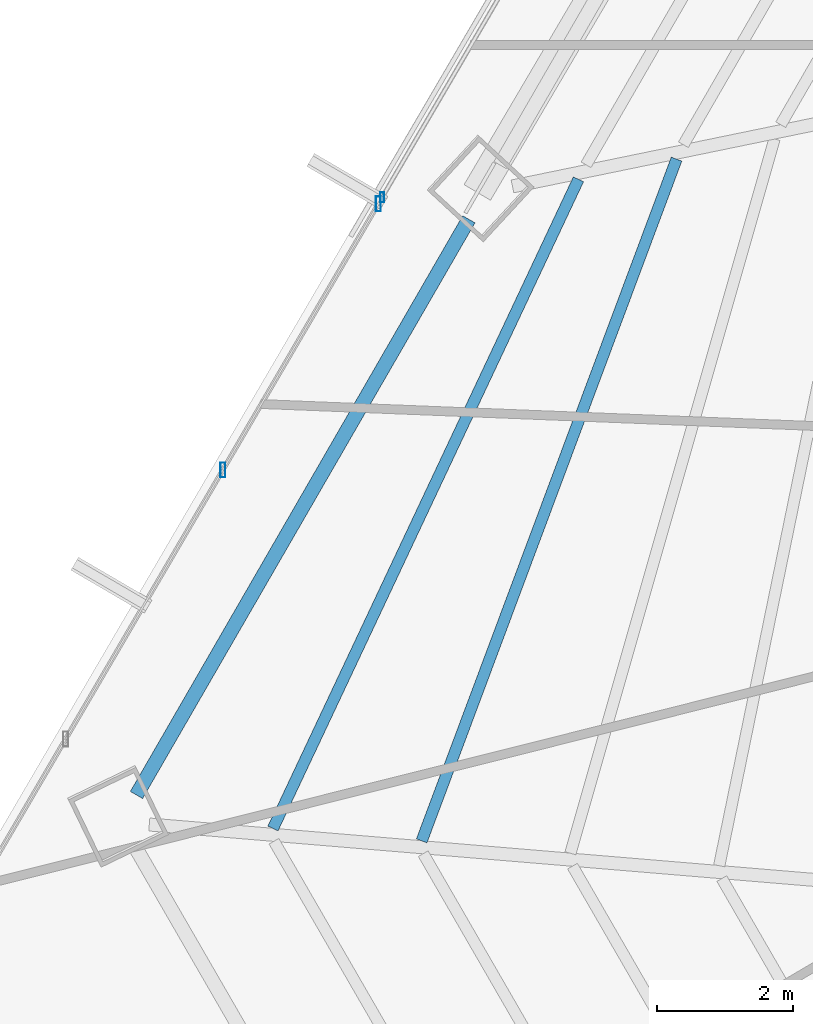
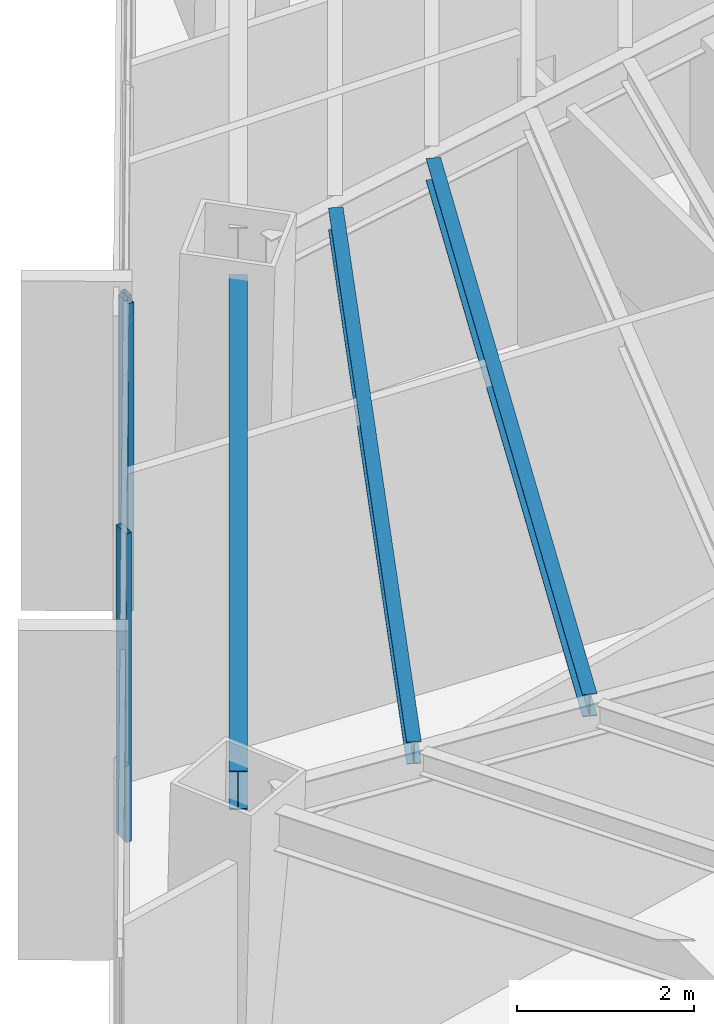
# One storey, part 10 of 37: 3 beams, 3 members, 2 elements without a shape of their own.
"""IFC4 building model written with IfcOpenShell, lengths in metres."""

from ifc_helpers import new_model, si_unit, direction, frame, origin, origin_2d, place, context, subcontext, project, spatial, hollow_rectangle, i_section, extrude, source, transform, mapped, material, material_profile, profile_set, type_object, type_shapes, element, aggregate, save


model = new_model("IFC4")

# Units and contexts
model_context = context("Model", 3, precision=1e-05, world=origin(), true_north=direction((0.0, 1.0)))
body_context = subcontext(model_context, "Body", "Model", "MODEL_VIEW")
ifc_project = project(units=[si_unit("LENGTHUNIT", "METRE"), si_unit("AREAUNIT", "SQUARE_METRE"), si_unit("VOLUMEUNIT", "CUBIC_METRE"), si_unit("PLANEANGLEUNIT", "RADIAN"), si_unit("MASSUNIT", "GRAM", prefix="KILO")], contexts=[model_context])

# Site, building, storey
site_placement = place(None, origin())
site = spatial("IfcSite", under=ifc_project, at=site_placement, CompositionType="ELEMENT")
building_placement = place(site_placement, origin())
building = spatial("IfcBuilding", under=site, at=building_placement, Name="Caelisora Broadcast Tower", CompositionType="ELEMENT")
storey_placement = place(building_placement, frame((0.0, 0.0, 127.300048828125)))
storey = spatial("IfcBuildingStorey", under=building, at=storey_placement, Name="L33", CompositionType="ELEMENT", Elevation=127.300048828125)

# Beams
ifc_material_1 = material(Name="Steel Grade 350 (AS/NZS 3679.1)", Category="steel")
ifc_material_profile_1 = material_profile(ifc_material_1, i_section(OverallWidth=0.208984375, OverallDepth=0.532958984375, WebThickness=0.01025390625, FlangeThickness=0.015625, at=origin_2d()), Name="Steel Grade 350 (AS/NZS 3679.1)")
ifc_profile_set_1 = profile_set([ifc_material_profile_1], Name="Steel Grade 350 (AS/NZS 3679.1)")
beam_type_1 = type_object("IfcBeamType", Name="PG05", PredefinedType="BEAM", material=ifc_profile_set_1)
shared_shape_1 = source(origin(), body_context, "Body", "SweptSolid", [
    extrude(i_section(OverallWidth=0.208984375, OverallDepth=0.532958984375, WebThickness=0.01025390625, FlangeThickness=0.015625, at=origin_2d()), origin(), (0.0, 0.0, 1.0), 9.7705078125),
])
type_shapes(beam_type_1, [shared_shape_1])
beam_1_placement = place(storey_placement, frame((20.257080078125, 27.54052734375, 3.9833984375), z_axis=(-0.500003642646, -0.866023300691, 0.0), x_axis=(0.866023300691, -0.500003642646, 0.0)))
element("IfcBeam", 1, at=beam_1_placement, inside=storey, type_object=beam_type_1, Name="L33 beam PG05", PredefinedType="BEAM", context=body_context, shape_type="MappedRepresentation", body=[
    mapped(shared_shape_1, transform((0.0, 0.0, 0.0), scale=1.0)),
])
ifc_material_profile_2 = material_profile(ifc_material_1, i_section(OverallWidth=0.166015625, OverallDepth=0.30712890625, WebThickness=0.006591796875, FlangeThickness=0.01171875, at=origin_2d()), Name="Steel Grade 350 (AS/NZS 3679.1)")
ifc_profile_set_2 = profile_set([ifc_material_profile_2], Name="Steel Grade 350 (AS/NZS 3679.1)")
beam_type_2 = type_object("IfcBeamType", Name="SB03", PredefinedType="JOIST", material=ifc_profile_set_2)
shared_shape_2 = source(origin(), body_context, "Body", "SweptSolid", [
    extrude(i_section(OverallWidth=0.166015625, OverallDepth=0.30712890625, WebThickness=0.006591796875, FlangeThickness=0.01171875, at=origin_2d()), origin(), (0.0, 0.0, 1.0), 10.697265625),
])
beam_2_placement = place(storey_placement, frame((23.3095703125, 28.4248046875, 4.096435546875), z_axis=(-0.350167834115, -0.936686974368, 0.0), x_axis=(0.936686974368, -0.350167834115, 0.0)))
element("IfcBeam", 2, at=beam_2_placement, inside=storey, type_object=beam_type_2, Name="L33 beam SB03", PredefinedType="JOIST", context=body_context, shape_type="MappedRepresentation", body=[
    mapped(shared_shape_2, transform((0.0, 0.0, 0.0), scale=1.0)),
])
shared_shape_3 = source(origin(), body_context, "Body", "SweptSolid", [
    extrude(i_section(OverallWidth=0.166015625, OverallDepth=0.30712890625, WebThickness=0.006591796875, FlangeThickness=0.01171875, at=origin_2d()), origin(), (0.0, 0.0, 1.0), 10.544677734375),
])
type_shapes(beam_type_2, [shared_shape_2, shared_shape_3])
beam_3_placement = place(storey_placement, frame((21.867919921875, 28.128173828125, 4.096435546875), z_axis=(-0.425804841397, -0.904815029187, 0.0), x_axis=(0.904815029187, -0.425804841397, 0.0)))
element("IfcBeam", 3, at=beam_3_placement, inside=storey, type_object=beam_type_2, Name="L33 beam SB03", PredefinedType="JOIST", context=body_context, shape_type="MappedRepresentation", body=[
    mapped(shared_shape_3, transform((0.0, 0.0, 0.0), scale=1.0)),
])

# Curtain wall, members
ifc_material_2 = material(Name="Unitised Aluminium and Low-E Glass Curtain Wall", Category="glass")
curtain_wall_type_1 = type_object("IfcCurtainWallType", Name="CW-SKY", PredefinedType="NOTDEFINED", material=ifc_material_2)
curtain_wall_1_placement = place(storey_placement, origin())
curtain_wall_1 = element("IfcCurtainWall", 4, at=curtain_wall_1_placement, inside=storey, type_object=curtain_wall_type_1, Name="L33 curtain wall CW-SKY", PredefinedType="NOTDEFINED")
ifc_material_3 = material(Name="Aluminium 6063-T6 Anodised Terracotta Bronze", Category="aluminium")
ifc_material_profile_3 = material_profile(ifc_material_3, hollow_rectangle(XDim=0.074951171875, YDim=0.219970703125, WallThickness=0.00390625, at=origin_2d()), Name="Aluminium 6063-T6 Anodised Terracotta Bronze")
ifc_profile_set_3 = profile_set([ifc_material_profile_3], Name="Aluminium 6063-T6 Anodised Terracotta Bronze")
member_type_1 = type_object("IfcMemberType", Name="CWM-01", PredefinedType="MULLION", material=ifc_profile_set_3)
shared_shape_4 = source(origin(), body_context, "Body", "SweptSolid", [
    extrude(hollow_rectangle(XDim=0.074951171875, YDim=0.219970703125, WallThickness=0.00390625, at=origin_2d()), origin(), (0.0, 0.0, 1.0), 4.25),
])
type_shapes(member_type_1, [shared_shape_4])
member_1_placement = place(storey_placement, frame((16.64111328125, 23.855712890625, 0.0), z_axis=(0.0, 0.0, 1.0), x_axis=(1.0, 0.0, 0.0)))
member_1 = element("IfcMember", 5, at=member_1_placement, type_object=member_type_1, Name="L33-CW-B09 mullion #2", PredefinedType="MULLION", context=body_context, shape_type="MappedRepresentation", body=[
    mapped(shared_shape_4, transform((0.0, 0.0, 0.0), scale=1.0)),
])
member_2_placement = place(storey_placement, frame((18.9267578125, 27.767333984375, 0.0), z_axis=(0.0, 0.0, 1.0), x_axis=(1.0, 0.0, 0.0)))
member_2 = element("IfcMember", 6, at=member_2_placement, type_object=member_type_1, Name="L33-CW-B09 mullion #3", PredefinedType="MULLION", context=body_context, shape_type="MappedRepresentation", body=[
    mapped(shared_shape_4, transform((0.0, 0.0, 0.0), scale=1.0)),
])
aggregate(curtain_wall_1, [member_1, member_2])

# Curtain wall, member
ifc_material_4 = material(Name="Unitised Aluminium Insulated Shadow-Box Spandrel Curtain Wall", Category="aluminium")
curtain_wall_type_2 = type_object("IfcCurtainWallType", Name="CW-SP2", PredefinedType="NOTDEFINED", material=ifc_material_4)
curtain_wall_2_placement = place(storey_placement, origin())
curtain_wall_2 = element("IfcCurtainWall", 7, at=curtain_wall_2_placement, inside=storey, type_object=curtain_wall_type_2, Name="L33 curtain wall CW-SP2", PredefinedType="NOTDEFINED")
ifc_material_profile_4 = material_profile(ifc_material_3, hollow_rectangle(XDim=0.06005859375, YDim=0.14990234375, WallThickness=0.00341796875, at=origin_2d()), Name="Aluminium 6063-T6 Anodised Terracotta Bronze")
ifc_profile_set_4 = profile_set([ifc_material_profile_4], Name="Aluminium 6063-T6 Anodised Terracotta Bronze")
member_type_2 = type_object("IfcMemberType", Name="CWM-03", PredefinedType="MULLION", material=ifc_profile_set_4)
shared_shape_5 = source(origin(), body_context, "Body", "SweptSolid", [
    extrude(hollow_rectangle(XDim=0.06005859375, YDim=0.14990234375, WallThickness=0.00341796875, at=origin_2d()), origin(), (0.0, 0.0, 1.0), 4.25),
])
type_shapes(member_type_2, [shared_shape_5])
member_3_placement = place(storey_placement, frame((18.982421875, 27.8623046875, 0.0), z_axis=(0.0, 0.0, 1.0), x_axis=(1.0, 0.0, 0.0)))
member_3 = element("IfcMember", 8, at=member_3_placement, type_object=member_type_2, Name="L33-CW-B10 mullion #0", PredefinedType="MULLION", context=body_context, shape_type="MappedRepresentation", body=[
    mapped(shared_shape_5, transform((0.0, 0.0, 0.0), scale=1.0)),
])
aggregate(curtain_wall_2, [member_3])

save(model, "model.ifc")
